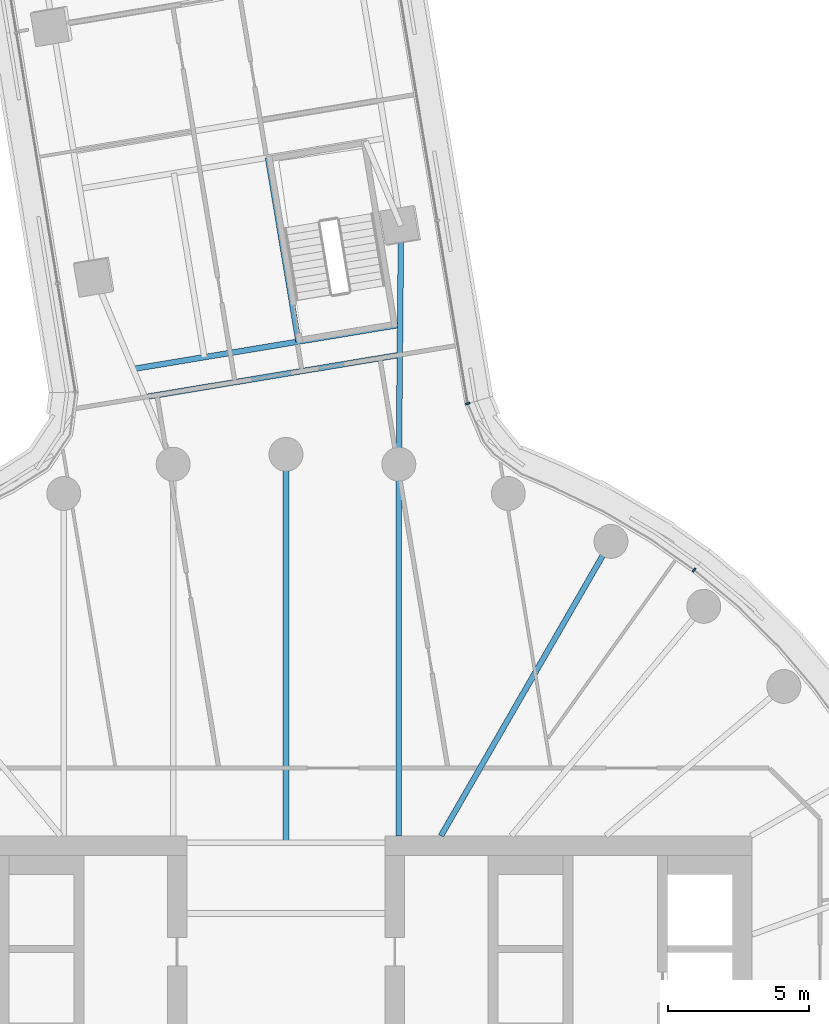
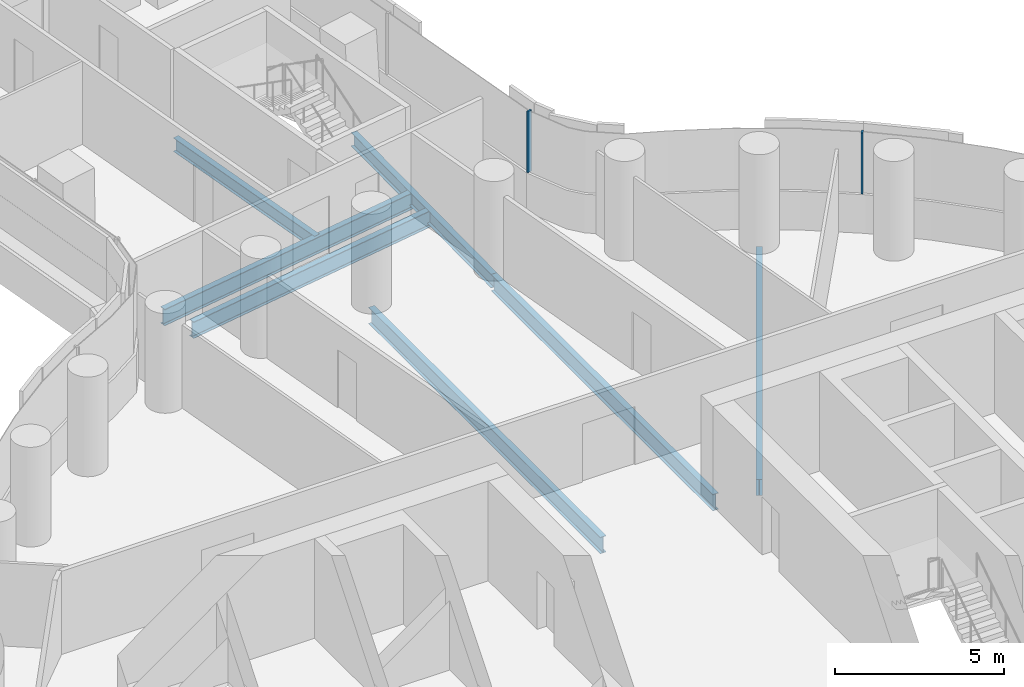
# One storey, part 16 of 32: 7 beams, 2 members, 2 elements without a shape of their own.
"""IFC4 building model written with IfcOpenShell, lengths in metres."""

import ifcopenshell
import ifcopenshell.guid

model = None  # the IFC model being written
_history = None  # IfcOwnerHistory: only IFC2X3 demands one
_inside = {}  # id of a spatial element -> (the spatial element, [elements in it])
_under = {}  # id of a project, library or spatial element -> (it, [spatial elements below it])
_declared = {}  # id of a project -> (the project, [libraries it declares])
_typed = {}  # id of a type object -> (the type object, [elements of that type])
_made_of = {}  # id of a material, layer set ... -> (it, [elements and type objects made of it])


def new_model(schema):
    """Start an empty IFC model of exactly this schema.

    Asked for "IFC4X3", IfcOpenShell would pick the latest addendum, in which some entities
    have other attributes; the version numbers below select the first issue.
    IFC2X3 requires an IfcOwnerHistory on every rooted entity: one is made here for all.
    """
    global model, _history
    if schema == "IFC4X3":
        model = ifcopenshell.file(schema_version=(4, 3, 0, 0))
    else:
        model = ifcopenshell.file(schema=schema)
    _inside.clear()
    _under.clear()
    _declared.clear()
    _typed.clear()
    _made_of.clear()
    _history = None
    if model.schema == "IFC2X3":
        org = make("IfcOrganization", Name="unknown")
        user = make(
            "IfcPersonAndOrganization",
            ThePerson=make("IfcPerson", FamilyName="unknown"),
            TheOrganization=org,
        )
        app = make(
            "IfcApplication",
            ApplicationDeveloper=org,
            Version="unknown",
            ApplicationFullName="unknown",
            ApplicationIdentifier="unknown",
        )
        _history = make(
            "IfcOwnerHistory",
            OwningUser=user,
            OwningApplication=app,
            ChangeAction="ADDED",
            CreationDate=0,
        )
    return model


def make(cls, **values):
    """One entity of the class cls with the attributes given. An attribute that is None is left unset."""
    return model.create_entity(
        cls, **{name: value for name, value in values.items() if value is not None}
    )


def rooted(cls, **values):
    """An entity with a GlobalId (a new one), such as an element, a storey or a relation."""
    return make(cls, GlobalId=ifcopenshell.guid.new(), OwnerHistory=_history, **values)


def si_unit(unit_type, name, prefix=None):
    """IfcSIUnit, for example si_unit("LENGTHUNIT", "METRE", prefix="MILLI")."""
    return make("IfcSIUnit", UnitType=unit_type, Prefix=prefix, Name=name)


def assignment(units):
    """IfcUnitAssignment: the units of a project."""
    return None if units is None else make("IfcUnitAssignment", Units=units)


def point(xyz):
    """IfcCartesianPoint."""
    return None if xyz is None else make("IfcCartesianPoint", Coordinates=xyz)


def direction(xyz):
    """IfcDirection."""
    return None if xyz is None else make("IfcDirection", DirectionRatios=xyz)


def frame(location, z_axis=None, x_axis=None):
    """IfcAxis2Placement3D, a coordinate frame: its origin and axes. An axis left out is left unset."""
    return make(
        "IfcAxis2Placement3D",
        Location=point(location),
        Axis=direction(z_axis),
        RefDirection=direction(x_axis),
    )


def frame_2d(location, x_axis=None):
    """IfcAxis2Placement2D, a coordinate frame in the plane: its origin and x axis."""
    return make(
        "IfcAxis2Placement2D", Location=point(location), RefDirection=direction(x_axis)
    )


def origin():
    """The frame at (0, 0, 0) with its axes left unset."""
    return frame((0.0, 0.0, 0.0))


def origin_2d():
    """The frame at (0, 0) in the plane with its x axis left unset."""
    return frame_2d((0.0, 0.0))


def place(relative_to, where):
    """IfcLocalPlacement: puts the frame where relative to a parent placement (None: the world)."""
    return make(
        "IfcLocalPlacement", PlacementRelTo=relative_to, RelativePlacement=where
    )


def context(
    kind, dimensions, precision=None, world=None, true_north=None, identifier=None
):
    """IfcGeometricRepresentationContext, for example the 3D "Model" context."""
    return make(
        "IfcGeometricRepresentationContext",
        ContextIdentifier=identifier,
        ContextType=kind,
        CoordinateSpaceDimension=dimensions,
        Precision=precision,
        WorldCoordinateSystem=world,
        TrueNorth=true_north,
    )


def subcontext(parent, identifier, kind, view, scale=None):
    """IfcGeometricRepresentationSubContext, for example "Body" below "Model"."""
    return make(
        "IfcGeometricRepresentationSubContext",
        ContextIdentifier=identifier,
        ContextType=kind,
        ParentContext=parent,
        TargetScale=scale,
        TargetView=view,
    )


def project(units=None, contexts=None):
    """IfcProject with its units and contexts."""
    return rooted(
        "IfcProject",
        Name="project",
        RepresentationContexts=contexts,
        UnitsInContext=assignment(units),
    )


def spatial(cls, under=None, at=None, **own):
    """A site, building, storey or space (cls), placed at a placement, below another one or the project."""
    s = rooted(cls, ObjectPlacement=at, **own)
    if under is not None:
        _under.setdefault(under.id(), (under, []))[1].append(s)
    return s


def profile(cls, at=None, kind="AREA", **sizes):
    """A parametric profile (cls). Its sizes go by their IFC names, for example OverallWidth=200.0."""
    return make(cls, ProfileType=kind, Position=at, **sizes)


def rectangle(**sizes):
    """IfcRectangleProfileDef."""
    return profile("IfcRectangleProfileDef", **sizes)


def i_section(**sizes):
    """IfcIShapeProfileDef."""
    return profile("IfcIShapeProfileDef", **sizes)


def extrude(swept, where, along, depth):
    """IfcExtrudedAreaSolid: the profile swept, set in the frame where, extruded along a direction by depth."""
    return make(
        "IfcExtrudedAreaSolid",
        SweptArea=swept,
        Position=where,
        ExtrudedDirection=direction(along),
        Depth=depth,
    )


def shape(context_of_items, identifier, shape_type, items):
    """IfcShapeRepresentation: the items that make up one representation, for example the "Body"."""
    return make(
        "IfcShapeRepresentation",
        ContextOfItems=context_of_items,
        RepresentationIdentifier=identifier,
        RepresentationType=shape_type,
        Items=items,
    )


def material(Name=None, Category=None):
    """IfcMaterial."""
    return make("IfcMaterial", Name=Name, Category=Category)


def layer(
    of_material, thickness, ventilated=None, Name=None, Category=None, Priority=None
):
    """IfcMaterialLayer: one layer of a wall or slab, of a material (None: an air gap)."""
    return make(
        "IfcMaterialLayer",
        Material=of_material,
        LayerThickness=thickness,
        IsVentilated=ventilated,
        Name=Name,
        Category=Category,
        Priority=Priority,
    )


def layer_set(layers, Name=None):
    """IfcMaterialLayerSet."""
    return make("IfcMaterialLayerSet", MaterialLayers=layers, LayerSetName=Name)


def material_profile(
    of_material, cross_section, Name=None, Category=None, Priority=None
):
    """IfcMaterialProfile: a cross section and its material."""
    return make(
        "IfcMaterialProfile",
        Name=Name,
        Material=of_material,
        Profile=cross_section,
        Priority=Priority,
        Category=Category,
    )


def profile_set(profiles, Name=None, composite=None):
    """IfcMaterialProfileSet."""
    return make(
        "IfcMaterialProfileSet",
        Name=Name,
        MaterialProfiles=profiles,
        CompositeProfile=composite,
    )


def made_of(thing, what):
    """Note that an element or type object is made of a material, layer set ...; save() writes the relation."""
    if what is not None:
        _made_of.setdefault(what.id(), (what, []))[1].append(thing)
    return thing


def type_object(cls, material=None, **own):
    """A type object (cls), such as IfcWallType, which elements share."""
    return made_of(rooted(cls, **own), material)


def element(
    cls,
    number,
    at=None,
    inside=None,
    cuts=None,
    type_object=None,
    material=None,
    context=None,
    identifier="Body",
    shape_type=None,
    held_by="IfcProductDefinitionShape",
    body=None,
    shapes=None,
    **own,
):
    """One element of the class cls, such as IfcWall. Its Tag is "e" and its number.

    at: its placement. inside: the storey or other place that contains it. cuts: it is an
    opening in that element (IfcRelVoidsElement). A single representation is given by context,
    identifier, shape_type and body (its items); several are given by shapes. held_by: the class
    of the entity that holds the representations. save() writes the other relations.
    """
    e = rooted(cls, Tag="e%d" % number, ObjectPlacement=at, **own)
    if body is not None:
        shapes = [shape(context, identifier, shape_type, body)]
    if shapes is not None:
        e.Representation = make(held_by, Representations=shapes)
    if inside is not None:
        _inside.setdefault(inside.id(), (inside, []))[1].append(e)
    if cuts is not None:
        rooted(
            "IfcRelVoidsElement", RelatingBuildingElement=cuts, RelatedOpeningElement=e
        )
    if type_object is not None:
        _typed.setdefault(type_object.id(), (type_object, []))[1].append(e)
    return made_of(e, material)


def aggregate(whole, parts):
    """IfcRelAggregates: a whole, such as a stair, and the parts it consists of."""
    return rooted("IfcRelAggregates", RelatingObject=whole, RelatedObjects=parts)


def save(model, path):
    """Write the relations noted so far, then the file.

    IfcRelAggregates (storeys below a building ...), IfcRelContainedInSpatialStructure (elements
    in a storey), IfcRelDefinesByType, IfcRelAssociatesMaterial and IfcRelDeclares: one each for
    every whole, place, type object, material and project.
    """
    for whole, parts in _under.values():
        aggregate(whole, parts)
    for where, things in _inside.values():
        rooted(
            "IfcRelContainedInSpatialStructure",
            RelatedElements=things,
            RelatingStructure=where,
        )
    for kind, things in _typed.values():
        rooted("IfcRelDefinesByType", RelatedObjects=things, RelatingType=kind)
    for what, things in _made_of.values():
        rooted("IfcRelAssociatesMaterial", RelatedObjects=things, RelatingMaterial=what)
    for by, libraries in _declared.values():
        rooted("IfcRelDeclares", RelatingContext=by, RelatedDefinitions=libraries)
    model.write(path)


model = new_model("IFC4")

# Units and contexts
model_context = context("Model", 3, precision=1e-05, world=origin(), true_north=direction((0.0, 1.0)))
body_context = subcontext(model_context, "Body", "Model", "MODEL_VIEW")
ifc_project = project(units=[si_unit("LENGTHUNIT", "METRE"), si_unit("AREAUNIT", "SQUARE_METRE"), si_unit("VOLUMEUNIT", "CUBIC_METRE"), si_unit("PLANEANGLEUNIT", "RADIAN"), si_unit("MASSUNIT", "GRAM", prefix="KILO")], contexts=[model_context])

# Site, building, storey
site_placement = place(None, origin())
site = spatial("IfcSite", under=ifc_project, at=site_placement, CompositionType="ELEMENT")
building_placement = place(site_placement, origin())
building = spatial("IfcBuilding", under=site, at=building_placement, Name="Tamarind Cross Interchange Tower", CompositionType="ELEMENT")
storey_placement = place(building_placement, frame((0.0, 0.0, 67.75)))
storey = spatial("IfcBuildingStorey", under=building, at=storey_placement, Name="L15", CompositionType="ELEMENT", Elevation=67.75)

# Beams
ifc_material_1 = material(Name="Steel Q355B", Category="steel")
ifc_material_profile_1 = material_profile(ifc_material_1, i_section(OverallWidth=0.198974609375, OverallDepth=0.49609375, WebThickness=0.009033203125, FlangeThickness=0.013916015625, FilletRadius=0.012939453125, at=origin_2d()), Name="HN 496x199x9x14")
ifc_profile_set_1 = profile_set([ifc_material_profile_1], Name="Steel Q355B")
beam_type_1 = type_object("IfcBeamType", Name="Composite beam HN 496x199x9x14 Q355B", PredefinedType="BEAM", material=ifc_profile_set_1)
beam_1_placement = place(storey_placement, frame((4.070068359375, 31.087158203125, -0.387939453125), z_axis=(-0.00902845479, -0.999959242671, 0.0), x_axis=(0.999959242671, -0.00902845479, 0.0)))
element("IfcBeam", 1, at=beam_1_placement, inside=storey, type_object=beam_type_1, Name="Beam N-linkem", PredefinedType="BEAM", context=body_context, shape_type="SweptSolid", body=[
    extrude(i_section(OverallWidth=0.198974609375, OverallDepth=0.49609375, WebThickness=0.009033203125, FlangeThickness=0.013916015625, FilletRadius=0.012939453125, at=origin_2d()), origin(), (0.0, 0.0, 1.0), 8.436767578125),
])
beam_2_placement = place(storey_placement, frame((0.44091796875, 26.989013671875, -0.387939453125), z_axis=(-0.163385172417, 0.986562357601, 0.0), x_axis=(-0.986562357601, -0.163385172417, 0.0)))
element("IfcBeam", 2, at=beam_2_placement, inside=storey, type_object=beam_type_1, Name="Beam N-tr1", PredefinedType="BEAM", context=body_context, shape_type="SweptSolid", body=[
    extrude(i_section(OverallWidth=0.198974609375, OverallDepth=0.49609375, WebThickness=0.009033203125, FlangeThickness=0.013916015625, FilletRadius=0.012939453125, at=origin_2d()), origin(), (0.0, 0.0, 1.0), 6.60009765625),
])
ifc_material_profile_2 = material_profile(ifc_material_1, i_section(OverallWidth=0.198974609375, OverallDepth=0.595947265625, WebThickness=0.010009765625, FlangeThickness=0.014892578125, FilletRadius=0.012939453125, at=origin_2d()), Name="HN 596x199x10x15")
ifc_profile_set_2 = profile_set([ifc_material_profile_2], Name="Steel Q355B")
beam_type_2 = type_object("IfcBeamType", Name="Composite beam HN 596x199x10x15 Q355B", PredefinedType="BEAM", material=ifc_profile_set_2)
beam_3_placement = place(storey_placement, frame((11.5, 19.918701171875, -0.43798828125), z_axis=(-0.499993565836, -0.866029118519, 0.0), x_axis=(0.866029118519, -0.499993565836, 0.0)))
element("IfcBeam", 3, at=beam_3_placement, inside=storey, type_object=beam_type_2, Name="Beam HH06", PredefinedType="BEAM", context=body_context, shape_type="SweptSolid", body=[
    extrude(i_section(OverallWidth=0.198974609375, OverallDepth=0.595947265625, WebThickness=0.010009765625, FlangeThickness=0.014892578125, FilletRadius=0.012939453125, at=origin_2d()), origin(), (0.0, 0.0, 1.0), 12.030517578125),
])
beam_4_placement = place(storey_placement, frame((3.993896484375, 22.650634765625, -0.43798828125), z_axis=(0.0, -1.0, 0.0), x_axis=(1.0, 0.0, 0.0)))
element("IfcBeam", 4, at=beam_4_placement, inside=storey, type_object=beam_type_2, Name="Beam HH08", PredefinedType="BEAM", context=body_context, shape_type="SweptSolid", body=[
    extrude(i_section(OverallWidth=0.198974609375, OverallDepth=0.595947265625, WebThickness=0.010009765625, FlangeThickness=0.014892578125, FilletRadius=0.012939453125, at=origin_2d()), origin(), (0.0, 0.0, 1.0), 13.150634765625),
])
beam_5_placement = place(storey_placement, frame((0.0, 23.0, -0.43798828125), z_axis=(0.0, -1.0, 0.0), x_axis=(1.0, 0.0, 0.0)))
element("IfcBeam", 5, at=beam_5_placement, inside=storey, type_object=beam_type_2, Name="Beam HH09", PredefinedType="BEAM", context=body_context, shape_type="SweptSolid", body=[
    extrude(i_section(OverallWidth=0.198974609375, OverallDepth=0.595947265625, WebThickness=0.010009765625, FlangeThickness=0.014892578125, FilletRadius=0.012939453125, at=origin_2d()), origin(), (0.0, 0.0, 1.0), 13.75),
])
ifc_material_profile_3 = material_profile(ifc_material_1, i_section(OverallWidth=0.199951171875, OverallDepth=0.60009765625, WebThickness=0.010986328125, FlangeThickness=0.01708984375, FilletRadius=0.012939453125, at=origin_2d()), Name="HN 600x200x11x17")
ifc_profile_set_3 = profile_set([ifc_material_profile_3], Name="Steel Q355B")
beam_type_3 = type_object("IfcBeamType", Name="Composite beam HN 600x200x11x17 Q355B", PredefinedType="BEAM", material=ifc_profile_set_3)
beam_6_placement = place(storey_placement, frame((4.038330078125, 27.5849609375, -0.43994140625), z_axis=(-0.986560168452, -0.163398390521, 0.0), x_axis=(0.163398390521, -0.986560168452, 0.0)))
element("IfcBeam", 6, at=beam_6_placement, inside=storey, type_object=beam_type_3, Name="Beam N-x268", PredefinedType="BEAM", context=body_context, shape_type="SweptSolid", body=[
    extrude(i_section(OverallWidth=0.199951171875, OverallDepth=0.60009765625, WebThickness=0.010986328125, FlangeThickness=0.01708984375, FilletRadius=0.012939453125, at=origin_2d()), origin(), (0.0, 0.0, 1.0), 9.575927734375),
])
beam_7_placement = place(storey_placement, frame((4.02880859375, 26.51904296875, -0.43994140625), z_axis=(-0.986560845896, -0.163394300223, 0.0), x_axis=(0.163394300223, -0.986560845896, 0.0)))
element("IfcBeam", 7, at=beam_7_placement, inside=storey, type_object=beam_type_3, Name="Beam N-x258", PredefinedType="BEAM", context=body_context, shape_type="SweptSolid", body=[
    extrude(i_section(OverallWidth=0.199951171875, OverallDepth=0.60009765625, WebThickness=0.010986328125, FlangeThickness=0.01708984375, FilletRadius=0.012939453125, at=origin_2d()), origin(), (0.0, 0.0, 1.0), 9.142822265625),
])

# Curtain wall, member
ifc_material_2 = material(Name="Aluminium 6063-T6", Category="aluminium")
ifc_layer = layer(ifc_material_2, 0.159912109375)
ifc_layer_set = layer_set([ifc_layer], Name="Aluminium 6063-T6")
curtain_wall_type = type_object("IfcCurtainWallType", Name="Office curtain wall, 9.0 m bays", PredefinedType="NOTDEFINED", material=ifc_layer_set)
curtain_wall_1_placement = place(storey_placement, origin())
curtain_wall_1 = element("IfcCurtainWall", 8, at=curtain_wall_1_placement, inside=storey, type_object=curtain_wall_type, Name="CWS-L15-14", PredefinedType="NOTDEFINED")
ifc_material_profile_4 = material_profile(ifc_material_2, rectangle(XDim=0.06005859375, YDim=0.159912109375, at=origin_2d()), Name="Mullion CW1")
ifc_profile_set_4 = profile_set([ifc_material_profile_4], Name="Aluminium 6063-T6")
member_type = type_object("IfcMemberType", Name="Mullion CW1", PredefinedType="MULLION", material=ifc_profile_set_4)
member_1_placement = place(storey_placement, frame((14.443603515625, 18.905517578125, 1.39990234375), z_axis=(0.0, 0.0, 1.0), x_axis=(-0.816341886298, 0.577568978284, 0.0)))
member_1 = element("IfcMember", 9, at=member_1_placement, type_object=member_type, Name="CWM-L15-14-02", PredefinedType="MULLION", context=body_context, shape_type="SweptSolid", body=[
    extrude(rectangle(XDim=0.06005859375, YDim=0.159912109375, at=origin_2d()), origin(), (0.0, 0.0, 1.0), 2.210205078125),
])
aggregate(curtain_wall_1, [member_1])

curtain_wall_2_placement = place(storey_placement, origin())
curtain_wall_2 = element("IfcCurtainWall", 10, at=curtain_wall_2_placement, inside=storey, type_object=curtain_wall_type, Name="CWS-L15-15", PredefinedType="NOTDEFINED")
member_2_placement = place(storey_placement, frame((6.4296875, 24.794921875, 1.39990234375), z_axis=(0.0, 0.0, 1.0), x_axis=(-0.277909602496, 0.960607231308, 0.0)))
member_2 = element("IfcMember", 11, at=member_2_placement, type_object=member_type, Name="CWM-L15-15-00", PredefinedType="MULLION", context=body_context, shape_type="SweptSolid", body=[
    extrude(rectangle(XDim=0.06005859375, YDim=0.159912109375, at=origin_2d()), origin(), (0.0, 0.0, 1.0), 2.210205078125),
])
aggregate(curtain_wall_2, [member_2])

save(model, "model.ifc")
